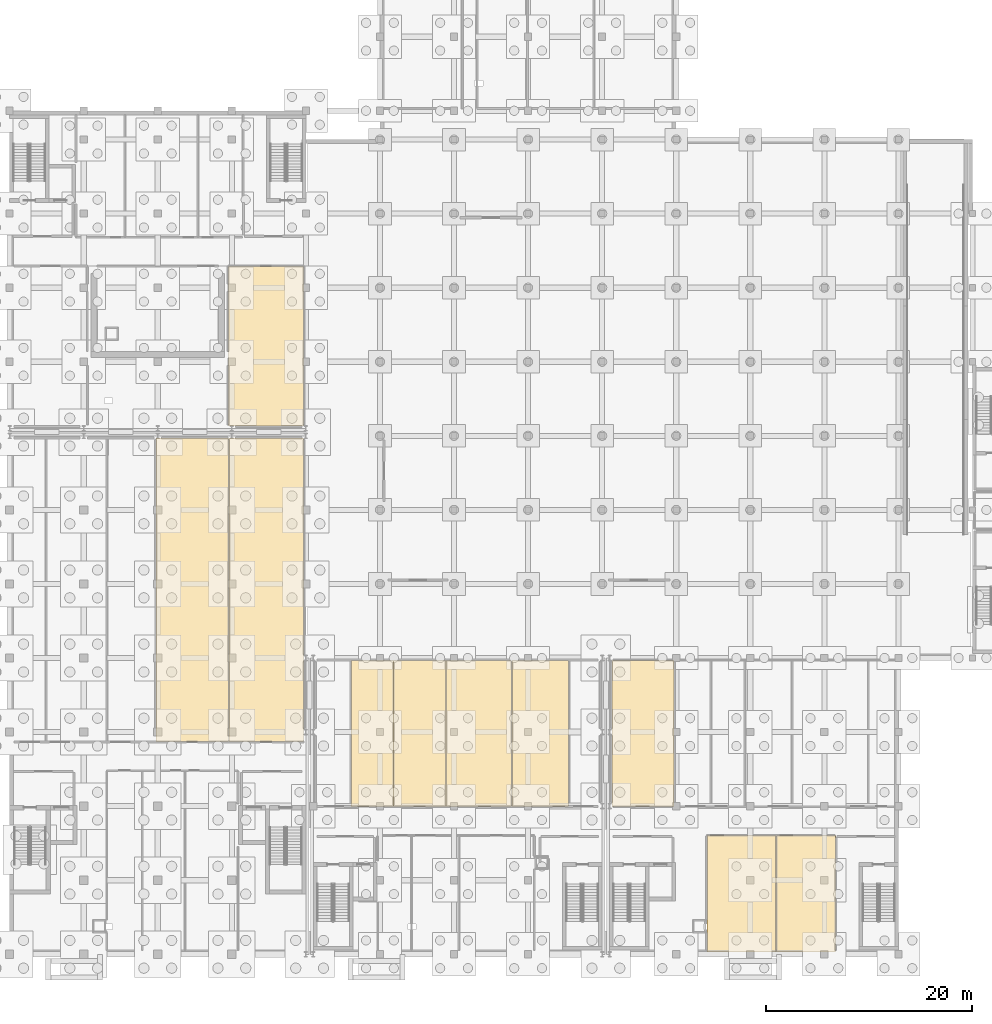
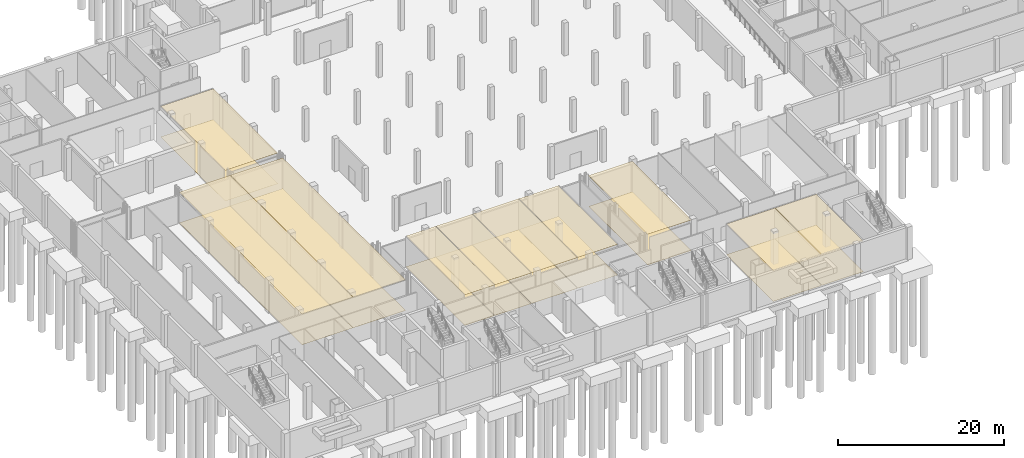
# One storey, part 29 of 35: 20 coverings.
"""IFC4 building model written with IfcOpenShell, lengths in metres."""

import ifcopenshell
import ifcopenshell.guid

model = None  # the IFC model being written
_history = None  # IfcOwnerHistory: only IFC2X3 demands one
_inside = {}  # id of a spatial element -> (the spatial element, [elements in it])
_under = {}  # id of a project, library or spatial element -> (it, [spatial elements below it])
_declared = {}  # id of a project -> (the project, [libraries it declares])
_typed = {}  # id of a type object -> (the type object, [elements of that type])
_made_of = {}  # id of a material, layer set ... -> (it, [elements and type objects made of it])


def new_model(schema):
    """Start an empty IFC model of exactly this schema.

    Asked for "IFC4X3", IfcOpenShell would pick the latest addendum, in which some entities
    have other attributes; the version numbers below select the first issue.
    IFC2X3 requires an IfcOwnerHistory on every rooted entity: one is made here for all.
    """
    global model, _history
    if schema == "IFC4X3":
        model = ifcopenshell.file(schema_version=(4, 3, 0, 0))
    else:
        model = ifcopenshell.file(schema=schema)
    _inside.clear()
    _under.clear()
    _declared.clear()
    _typed.clear()
    _made_of.clear()
    _history = None
    if model.schema == "IFC2X3":
        org = make("IfcOrganization", Name="unknown")
        user = make(
            "IfcPersonAndOrganization",
            ThePerson=make("IfcPerson", FamilyName="unknown"),
            TheOrganization=org,
        )
        app = make(
            "IfcApplication",
            ApplicationDeveloper=org,
            Version="unknown",
            ApplicationFullName="unknown",
            ApplicationIdentifier="unknown",
        )
        _history = make(
            "IfcOwnerHistory",
            OwningUser=user,
            OwningApplication=app,
            ChangeAction="ADDED",
            CreationDate=0,
        )
    return model


def make(cls, **values):
    """One entity of the class cls with the attributes given. An attribute that is None is left unset."""
    return model.create_entity(
        cls, **{name: value for name, value in values.items() if value is not None}
    )


def rooted(cls, **values):
    """An entity with a GlobalId (a new one), such as an element, a storey or a relation."""
    return make(cls, GlobalId=ifcopenshell.guid.new(), OwnerHistory=_history, **values)


def si_unit(unit_type, name, prefix=None):
    """IfcSIUnit, for example si_unit("LENGTHUNIT", "METRE", prefix="MILLI")."""
    return make("IfcSIUnit", UnitType=unit_type, Prefix=prefix, Name=name)


def assignment(units):
    """IfcUnitAssignment: the units of a project."""
    return None if units is None else make("IfcUnitAssignment", Units=units)


def point(xyz):
    """IfcCartesianPoint."""
    return None if xyz is None else make("IfcCartesianPoint", Coordinates=xyz)


def direction(xyz):
    """IfcDirection."""
    return None if xyz is None else make("IfcDirection", DirectionRatios=xyz)


def frame(location, z_axis=None, x_axis=None):
    """IfcAxis2Placement3D, a coordinate frame: its origin and axes. An axis left out is left unset."""
    return make(
        "IfcAxis2Placement3D",
        Location=point(location),
        Axis=direction(z_axis),
        RefDirection=direction(x_axis),
    )


def origin():
    """The frame at (0, 0, 0) with its axes left unset."""
    return frame((0.0, 0.0, 0.0))


def place(relative_to, where):
    """IfcLocalPlacement: puts the frame where relative to a parent placement (None: the world)."""
    return make(
        "IfcLocalPlacement", PlacementRelTo=relative_to, RelativePlacement=where
    )


def context(
    kind, dimensions, precision=None, world=None, true_north=None, identifier=None
):
    """IfcGeometricRepresentationContext, for example the 3D "Model" context."""
    return make(
        "IfcGeometricRepresentationContext",
        ContextIdentifier=identifier,
        ContextType=kind,
        CoordinateSpaceDimension=dimensions,
        Precision=precision,
        WorldCoordinateSystem=world,
        TrueNorth=true_north,
    )


def subcontext(parent, identifier, kind, view, scale=None):
    """IfcGeometricRepresentationSubContext, for example "Body" below "Model"."""
    return make(
        "IfcGeometricRepresentationSubContext",
        ContextIdentifier=identifier,
        ContextType=kind,
        ParentContext=parent,
        TargetScale=scale,
        TargetView=view,
    )


def project(units=None, contexts=None):
    """IfcProject with its units and contexts."""
    return rooted(
        "IfcProject",
        Name="project",
        RepresentationContexts=contexts,
        UnitsInContext=assignment(units),
    )


def spatial(cls, under=None, at=None, **own):
    """A site, building, storey or space (cls), placed at a placement, below another one or the project."""
    s = rooted(cls, ObjectPlacement=at, **own)
    if under is not None:
        _under.setdefault(under.id(), (under, []))[1].append(s)
    return s


def polyline(points):
    """IfcPolyline through the points."""
    return make("IfcPolyline", Points=[point(p) for p in points])


def outline(outer, holes=None, kind="AREA"):
    """IfcArbitraryClosedProfileDef: a profile drawn as a closed curve; with holes, ...WithVoids."""
    if holes is None:
        return make("IfcArbitraryClosedProfileDef", ProfileType=kind, OuterCurve=outer)
    return make(
        "IfcArbitraryProfileDefWithVoids",
        ProfileType=kind,
        OuterCurve=outer,
        InnerCurves=holes,
    )


def extrude(swept, where, along, depth):
    """IfcExtrudedAreaSolid: the profile swept, set in the frame where, extruded along a direction by depth."""
    return make(
        "IfcExtrudedAreaSolid",
        SweptArea=swept,
        Position=where,
        ExtrudedDirection=direction(along),
        Depth=depth,
    )


def shape(context_of_items, identifier, shape_type, items):
    """IfcShapeRepresentation: the items that make up one representation, for example the "Body"."""
    return make(
        "IfcShapeRepresentation",
        ContextOfItems=context_of_items,
        RepresentationIdentifier=identifier,
        RepresentationType=shape_type,
        Items=items,
    )


def material(Name=None, Category=None):
    """IfcMaterial."""
    return make("IfcMaterial", Name=Name, Category=Category)


def layer(
    of_material, thickness, ventilated=None, Name=None, Category=None, Priority=None
):
    """IfcMaterialLayer: one layer of a wall or slab, of a material (None: an air gap)."""
    return make(
        "IfcMaterialLayer",
        Material=of_material,
        LayerThickness=thickness,
        IsVentilated=ventilated,
        Name=Name,
        Category=Category,
        Priority=Priority,
    )


def layer_set(layers, Name=None):
    """IfcMaterialLayerSet."""
    return make("IfcMaterialLayerSet", MaterialLayers=layers, LayerSetName=Name)


def made_of(thing, what):
    """Note that an element or type object is made of a material, layer set ...; save() writes the relation."""
    if what is not None:
        _made_of.setdefault(what.id(), (what, []))[1].append(thing)
    return thing


def type_object(cls, material=None, **own):
    """A type object (cls), such as IfcWallType, which elements share."""
    return made_of(rooted(cls, **own), material)


def element(
    cls,
    number,
    at=None,
    inside=None,
    cuts=None,
    type_object=None,
    material=None,
    context=None,
    identifier="Body",
    shape_type=None,
    held_by="IfcProductDefinitionShape",
    body=None,
    shapes=None,
    **own,
):
    """One element of the class cls, such as IfcWall. Its Tag is "e" and its number.

    at: its placement. inside: the storey or other place that contains it. cuts: it is an
    opening in that element (IfcRelVoidsElement). A single representation is given by context,
    identifier, shape_type and body (its items); several are given by shapes. held_by: the class
    of the entity that holds the representations. save() writes the other relations.
    """
    e = rooted(cls, Tag="e%d" % number, ObjectPlacement=at, **own)
    if body is not None:
        shapes = [shape(context, identifier, shape_type, body)]
    if shapes is not None:
        e.Representation = make(held_by, Representations=shapes)
    if inside is not None:
        _inside.setdefault(inside.id(), (inside, []))[1].append(e)
    if cuts is not None:
        rooted(
            "IfcRelVoidsElement", RelatingBuildingElement=cuts, RelatedOpeningElement=e
        )
    if type_object is not None:
        _typed.setdefault(type_object.id(), (type_object, []))[1].append(e)
    return made_of(e, material)


def aggregate(whole, parts):
    """IfcRelAggregates: a whole, such as a stair, and the parts it consists of."""
    return rooted("IfcRelAggregates", RelatingObject=whole, RelatedObjects=parts)


def save(model, path):
    """Write the relations noted so far, then the file.

    IfcRelAggregates (storeys below a building ...), IfcRelContainedInSpatialStructure (elements
    in a storey), IfcRelDefinesByType, IfcRelAssociatesMaterial and IfcRelDeclares: one each for
    every whole, place, type object, material and project.
    """
    for whole, parts in _under.values():
        aggregate(whole, parts)
    for where, things in _inside.values():
        rooted(
            "IfcRelContainedInSpatialStructure",
            RelatedElements=things,
            RelatingStructure=where,
        )
    for kind, things in _typed.values():
        rooted("IfcRelDefinesByType", RelatedObjects=things, RelatingType=kind)
    for what, things in _made_of.values():
        rooted("IfcRelAssociatesMaterial", RelatedObjects=things, RelatingMaterial=what)
    for by, libraries in _declared.values():
        rooted("IfcRelDeclares", RelatingContext=by, RelatedDefinitions=libraries)
    model.write(path)


model = new_model("IFC4")

# Units and contexts
model_context = context("Model", 3, precision=1e-05, world=origin(), true_north=direction((0.0, 1.0)))
body_context = subcontext(model_context, "Body", "Model", "MODEL_VIEW")
ifc_project = project(units=[si_unit("LENGTHUNIT", "METRE"), si_unit("AREAUNIT", "SQUARE_METRE"), si_unit("VOLUMEUNIT", "CUBIC_METRE"), si_unit("PLANEANGLEUNIT", "RADIAN"), si_unit("MASSUNIT", "GRAM", prefix="KILO")], contexts=[model_context])

# Site, building, storey
site_placement = place(None, origin())
site = spatial("IfcSite", under=ifc_project, at=site_placement, CompositionType="ELEMENT")
building_placement = place(site_placement, origin())
building = spatial("IfcBuilding", under=site, at=building_placement, Name="Zarrinpeak Specialist Clinic", CompositionType="ELEMENT")
storey_placement = place(building_placement, frame((0.0, 0.0, -4.800048828125)))
storey = spatial("IfcBuildingStorey", under=building, at=storey_placement, Name="B01", CompositionType="ELEMENT", Elevation=-4.800048828125)

# Coverings
ifc_material_1 = material(Name="Hygienic Acoustic Mineral Fibre Tile")
ifc_layer_1 = layer(ifc_material_1, 0.02490234375)
ifc_layer_set_1 = layer_set([ifc_layer_1], Name="Hygienic Acoustic Mineral Fibre Tile")
covering_type_1 = type_object("IfcCoveringType", Name="CV-CEIL-AC", PredefinedType="CEILING", material=ifc_layer_set_1)
covering_1_placement = place(storey_placement, frame((0.0, 0.0, 4.485107421875)))
element("IfcCovering", 1, at=covering_1_placement, inside=storey, type_object=covering_type_1, Name="B01 Specialist Consultation Room 1 Hygienic Acoustic Ceiling", PredefinedType="CEILING", context=body_context, shape_type="SweptSolid", body=[
    extrude(outline(polyline([(14.219970703125, 20.669921875), (21.280029296875, 20.669921875), (21.280029296875, 50.179931640625), (14.219970703125, 50.179931640625), (14.219970703125, 20.669921875)])), origin(), (0.0, 0.0, 1.0), 0.02490234375),
])
covering_2_placement = place(storey_placement, frame((0.0, 0.0, 4.485107421875)))
element("IfcCovering", 2, at=covering_2_placement, inside=storey, type_object=covering_type_1, Name="B01 Specialist Consultation Room 2 Hygienic Acoustic Ceiling", PredefinedType="CEILING", context=body_context, shape_type="SweptSolid", body=[
    extrude(outline(polyline([(21.320068359375, 20.669921875), (28.580078125, 20.669921875), (28.580078125, 50.179931640625), (21.320068359375, 50.179931640625), (21.320068359375, 20.669921875)])), origin(), (0.0, 0.0, 1.0), 0.02490234375),
])
covering_3_placement = place(storey_placement, frame((0.0, 0.0, 4.485107421875)))
element("IfcCovering", 3, at=covering_3_placement, inside=storey, type_object=covering_type_1, Name="B01 Specialist Consultation Room 1 Hygienic Acoustic Ceiling", PredefinedType="CEILING", context=body_context, shape_type="SweptSolid", body=[
    extrude(outline(polyline([(33.18994140625, 14.3701171875), (37.300048828125, 14.3701171875), (37.300048828125, 28.580078125), (33.18994140625, 28.580078125), (33.18994140625, 14.3701171875)])), origin(), (0.0, 0.0, 1.0), 0.02490234375),
])
covering_4_placement = place(storey_placement, frame((0.0, 0.0, 4.485107421875)))
element("IfcCovering", 4, at=covering_4_placement, inside=storey, type_object=covering_type_1, Name="B01 Specialist Consultation Room 2 Hygienic Acoustic Ceiling", PredefinedType="CEILING", context=body_context, shape_type="SweptSolid", body=[
    extrude(outline(polyline([(37.340087890625, 14.3701171875), (42.39990234375, 14.3701171875), (42.39990234375, 28.580078125), (37.340087890625, 28.580078125), (37.340087890625, 14.3701171875)])), origin(), (0.0, 0.0, 1.0), 0.02490234375),
])
covering_5_placement = place(storey_placement, frame((0.0, 0.0, 4.485107421875)))
element("IfcCovering", 5, at=covering_5_placement, inside=storey, type_object=covering_type_1, Name="B01 Specialist Consultation Room 3 Hygienic Acoustic Ceiling", PredefinedType="CEILING", context=body_context, shape_type="SweptSolid", body=[
    extrude(outline(polyline([(48.840087890625, 14.3701171875), (54.35009765625, 14.3701171875), (54.35009765625, 28.580078125), (48.840087890625, 28.580078125), (48.840087890625, 14.3701171875)])), origin(), (0.0, 0.0, 1.0), 0.02490234375),
])
covering_6_placement = place(storey_placement, frame((0.0, 0.0, 4.485107421875)))
element("IfcCovering", 6, at=covering_6_placement, inside=storey, type_object=covering_type_1, Name="B01 Specialist Consultation Room 5 Hygienic Acoustic Ceiling", PredefinedType="CEILING", context=body_context, shape_type="SweptSolid", body=[
    extrude(outline(polyline([(42.43994140625, 14.3701171875), (48.800048828125, 14.3701171875), (48.800048828125, 28.580078125), (42.43994140625, 28.580078125), (42.43994140625, 14.3701171875)])), origin(), (0.0, 0.0, 1.0), 0.02490234375),
])
covering_7_placement = place(storey_placement, frame((0.0, 0.0, 4.485107421875)))
element("IfcCovering", 7, at=covering_7_placement, inside=storey, type_object=covering_type_1, Name="B01 Specialist Consultation Room 1 Hygienic Acoustic Ceiling", PredefinedType="CEILING", context=body_context, shape_type="SweptSolid", body=[
    extrude(outline(polyline([(74.5400390625, 0.219970703125), (80.280029296875, 0.219970703125), (80.280029296875, 11.530029296875), (74.5400390625, 11.530029296875), (74.5400390625, 0.219970703125)])), origin(), (0.0, 0.0, 1.0), 0.02490234375),
])
covering_8_placement = place(storey_placement, frame((0.0, 0.0, 4.485107421875)))
element("IfcCovering", 8, at=covering_8_placement, inside=storey, type_object=covering_type_1, Name="B01 Specialist Consultation Room 2 Hygienic Acoustic Ceiling", PredefinedType="CEILING", context=body_context, shape_type="SweptSolid", body=[
    extrude(outline(polyline([(67.7900390625, 0.219970703125), (74.5, 0.219970703125), (74.5, 11.530029296875), (67.7900390625, 11.530029296875), (67.7900390625, 0.219970703125)])), origin(), (0.0, 0.0, 1.0), 0.02490234375),
])
covering_9_placement = place(storey_placement, frame((0.0, 0.0, 4.485107421875)))
element("IfcCovering", 9, at=covering_9_placement, inside=storey, type_object=covering_type_1, Name="B01 Specialist Consultation Room 3 Hygienic Acoustic Ceiling", PredefinedType="CEILING", context=body_context, shape_type="SweptSolid", body=[
    extrude(outline(polyline([(58.5400390625, 14.3701171875), (64.60009765625, 14.3701171875), (64.60009765625, 28.580078125), (58.5400390625, 28.580078125), (58.5400390625, 14.3701171875)])), origin(), (0.0, 0.0, 1.0), 0.02490234375),
])
covering_10_placement = place(storey_placement, frame((0.0, 0.0, 4.485107421875)))
element("IfcCovering", 10, at=covering_10_placement, inside=storey, type_object=covering_type_1, Name="B01 Specialist Consultation Room 1 Hygienic Acoustic Ceiling", PredefinedType="CEILING", context=body_context, shape_type="SweptSolid", body=[
    extrude(outline(polyline([(21.27001953125, 51.340087890625), (28.580078125, 51.340087890625), (28.580078125, 66.8798828125), (21.27001953125, 66.8798828125), (21.27001953125, 51.340087890625)])), origin(), (0.0, 0.0, 1.0), 0.02490234375),
])
ifc_material_2 = material(Name="Homogeneous Antimicrobial Clinical Vinyl")
ifc_layer_2 = layer(ifc_material_2, 0.008056640625)
ifc_layer_set_2 = layer_set([ifc_layer_2], Name="Homogeneous Antimicrobial Clinical Vinyl")
covering_type_2 = type_object("IfcCoveringType", Name="CV-FLR-VN", PredefinedType="FLOORING", material=ifc_layer_set_2)
covering_11_placement = place(storey_placement, frame((0.0, 0.0, 0.0009765625)))
element("IfcCovering", 11, at=covering_11_placement, inside=storey, type_object=covering_type_2, Name="B01 Specialist Consultation Room 1 Antimicrobial Vinyl Flooring", PredefinedType="FLOORING", context=body_context, shape_type="SweptSolid", body=[
    extrude(outline(polyline([(14.219970703125, 20.669921875), (21.280029296875, 20.669921875), (21.280029296875, 50.179931640625), (14.219970703125, 50.179931640625), (14.219970703125, 20.669921875)])), origin(), (0.0, 0.0, 1.0), 0.008056640625),
])
covering_12_placement = place(storey_placement, frame((0.0, 0.0, 0.0009765625)))
element("IfcCovering", 12, at=covering_12_placement, inside=storey, type_object=covering_type_2, Name="B01 Specialist Consultation Room 2 Antimicrobial Vinyl Flooring", PredefinedType="FLOORING", context=body_context, shape_type="SweptSolid", body=[
    extrude(outline(polyline([(21.320068359375, 20.669921875), (28.580078125, 20.669921875), (28.580078125, 50.179931640625), (21.320068359375, 50.179931640625), (21.320068359375, 20.669921875)])), origin(), (0.0, 0.0, 1.0), 0.008056640625),
])
covering_13_placement = place(storey_placement, frame((0.0, 0.0, 0.0009765625)))
element("IfcCovering", 13, at=covering_13_placement, inside=storey, type_object=covering_type_2, Name="B01 Specialist Consultation Room 1 Antimicrobial Vinyl Flooring", PredefinedType="FLOORING", context=body_context, shape_type="SweptSolid", body=[
    extrude(outline(polyline([(33.18994140625, 14.3701171875), (37.300048828125, 14.3701171875), (37.300048828125, 28.580078125), (33.18994140625, 28.580078125), (33.18994140625, 14.3701171875)])), origin(), (0.0, 0.0, 1.0), 0.008056640625),
])
covering_14_placement = place(storey_placement, frame((0.0, 0.0, 0.0009765625)))
element("IfcCovering", 14, at=covering_14_placement, inside=storey, type_object=covering_type_2, Name="B01 Specialist Consultation Room 2 Antimicrobial Vinyl Flooring", PredefinedType="FLOORING", context=body_context, shape_type="SweptSolid", body=[
    extrude(outline(polyline([(37.340087890625, 14.3701171875), (42.39990234375, 14.3701171875), (42.39990234375, 28.580078125), (37.340087890625, 28.580078125), (37.340087890625, 14.3701171875)])), origin(), (0.0, 0.0, 1.0), 0.008056640625),
])
covering_15_placement = place(storey_placement, frame((0.0, 0.0, 0.0009765625)))
element("IfcCovering", 15, at=covering_15_placement, inside=storey, type_object=covering_type_2, Name="B01 Specialist Consultation Room 3 Antimicrobial Vinyl Flooring", PredefinedType="FLOORING", context=body_context, shape_type="SweptSolid", body=[
    extrude(outline(polyline([(48.840087890625, 14.3701171875), (54.35009765625, 14.3701171875), (54.35009765625, 28.580078125), (48.840087890625, 28.580078125), (48.840087890625, 14.3701171875)])), origin(), (0.0, 0.0, 1.0), 0.008056640625),
])
covering_16_placement = place(storey_placement, frame((0.0, 0.0, 0.0009765625)))
element("IfcCovering", 16, at=covering_16_placement, inside=storey, type_object=covering_type_2, Name="B01 Specialist Consultation Room 5 Antimicrobial Vinyl Flooring", PredefinedType="FLOORING", context=body_context, shape_type="SweptSolid", body=[
    extrude(outline(polyline([(42.43994140625, 14.3701171875), (48.800048828125, 14.3701171875), (48.800048828125, 28.580078125), (42.43994140625, 28.580078125), (42.43994140625, 14.3701171875)])), origin(), (0.0, 0.0, 1.0), 0.008056640625),
])
covering_17_placement = place(storey_placement, frame((0.0, 0.0, 0.0009765625)))
element("IfcCovering", 17, at=covering_17_placement, inside=storey, type_object=covering_type_2, Name="B01 Specialist Consultation Room 1 Antimicrobial Vinyl Flooring", PredefinedType="FLOORING", context=body_context, shape_type="SweptSolid", body=[
    extrude(outline(polyline([(74.5400390625, 0.219970703125), (80.280029296875, 0.219970703125), (80.280029296875, 11.530029296875), (74.5400390625, 11.530029296875), (74.5400390625, 0.219970703125)])), origin(), (0.0, 0.0, 1.0), 0.008056640625),
])
covering_18_placement = place(storey_placement, frame((0.0, 0.0, 0.0009765625)))
element("IfcCovering", 18, at=covering_18_placement, inside=storey, type_object=covering_type_2, Name="B01 Specialist Consultation Room 2 Antimicrobial Vinyl Flooring", PredefinedType="FLOORING", context=body_context, shape_type="SweptSolid", body=[
    extrude(outline(polyline([(67.7900390625, 0.219970703125), (74.5, 0.219970703125), (74.5, 11.530029296875), (67.7900390625, 11.530029296875), (67.7900390625, 0.219970703125)])), origin(), (0.0, 0.0, 1.0), 0.008056640625),
])
covering_19_placement = place(storey_placement, frame((0.0, 0.0, 0.0009765625)))
element("IfcCovering", 19, at=covering_19_placement, inside=storey, type_object=covering_type_2, Name="B01 Specialist Consultation Room 3 Antimicrobial Vinyl Flooring", PredefinedType="FLOORING", context=body_context, shape_type="SweptSolid", body=[
    extrude(outline(polyline([(58.5400390625, 14.3701171875), (64.60009765625, 14.3701171875), (64.60009765625, 28.580078125), (58.5400390625, 28.580078125), (58.5400390625, 14.3701171875)])), origin(), (0.0, 0.0, 1.0), 0.008056640625),
])
covering_20_placement = place(storey_placement, frame((0.0, 0.0, 0.0009765625)))
element("IfcCovering", 20, at=covering_20_placement, inside=storey, type_object=covering_type_2, Name="B01 Specialist Consultation Room 1 Antimicrobial Vinyl Flooring", PredefinedType="FLOORING", context=body_context, shape_type="SweptSolid", body=[
    extrude(outline(polyline([(21.27001953125, 51.340087890625), (28.580078125, 51.340087890625), (28.580078125, 66.8798828125), (21.27001953125, 66.8798828125), (21.27001953125, 51.340087890625)])), origin(), (0.0, 0.0, 1.0), 0.008056640625),
])

save(model, "model.ifc")
